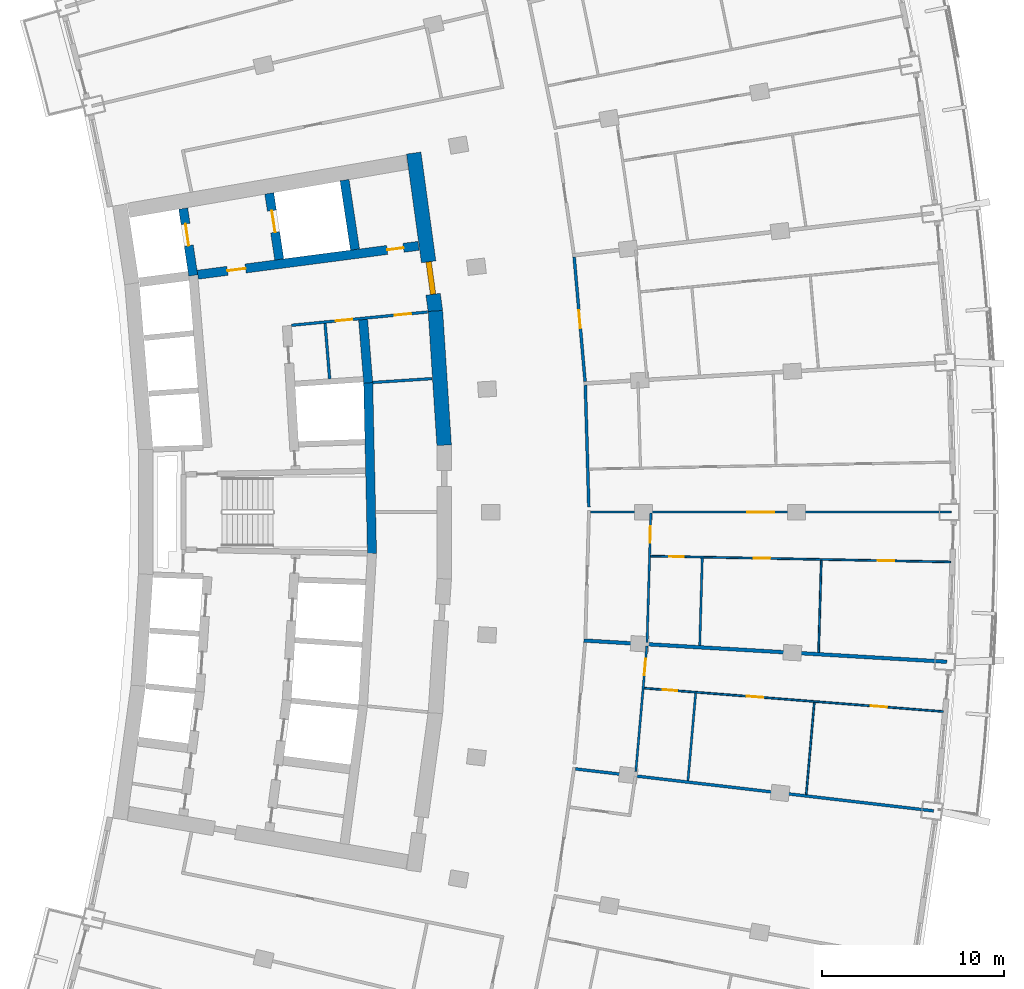
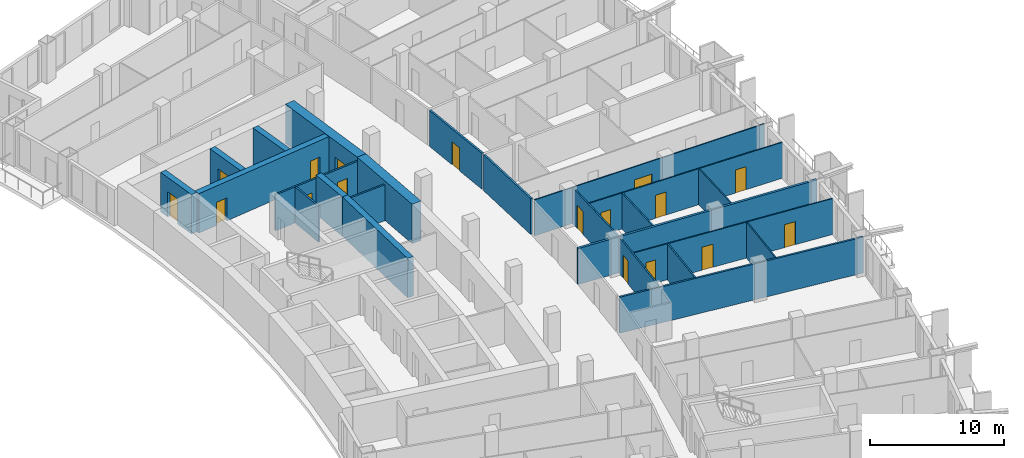
# One storey, part 17 of 25: 24 walls, 17 doors, 17 openings.
"""IFC4 building model written with IfcOpenShell, lengths in metres."""

from ifc_helpers import new_model, si_unit, direction, frame, frame_2d, origin, place, context, subcontext, project, spatial, rectangle, extrude, material, layer, layer_set, type_object, element, fill, save


model = new_model("IFC4")

# Units and contexts
model_context = context("Model", 3, precision=1e-05, world=origin(), true_north=direction((0.0, 1.0)))
body_context = subcontext(model_context, "Body", "Model", "MODEL_VIEW")
ifc_project = project(units=[si_unit("LENGTHUNIT", "METRE"), si_unit("AREAUNIT", "SQUARE_METRE"), si_unit("VOLUMEUNIT", "CUBIC_METRE"), si_unit("PLANEANGLEUNIT", "RADIAN"), si_unit("MASSUNIT", "GRAM", prefix="KILO")], contexts=[model_context])

# Site, building, storey
site_placement = place(None, origin())
site = spatial("IfcSite", under=ifc_project, at=site_placement, CompositionType="ELEMENT")
building_placement = place(site_placement, origin())
building = spatial("IfcBuilding", under=site, at=building_placement, Name="Alderwake Tower", CompositionType="ELEMENT")
storey_placement = place(building_placement, frame((0.0, 0.0, 107.60009765625)))
storey = spatial("IfcBuildingStorey", under=building, at=storey_placement, Name="L26", CompositionType="ELEMENT", Elevation=107.60009765625)

# Walls
ifc_material_1 = material(Name="Gypsum shaft wall system, rated")
ifc_layer_1 = layer(ifc_material_1, 0.14990234375)
ifc_layer_set_1 = layer_set([ifc_layer_1], Name="Core room partition 150")
wall_type_1 = type_object("IfcWallType", Name="Core room partition 150", PredefinedType="PARTITIONING", material=ifc_layer_set_1)
wall_1_placement = place(storey_placement, frame((26.94970703125, 68.3203125, 0.0), z_axis=(0.0, 0.0, 1.0), x_axis=(-0.082463525817, 0.996594083321, 0.0)))
element("IfcWall", 1, at=wall_1_placement, inside=storey, type_object=wall_type_1, Name="CW/L26/PA+107_+70", PredefinedType="PARTITIONING", context=body_context, shape_type="SweptSolid", body=[
    extrude(rectangle(XDim=3.055419921875, YDim=0.14990234375, at=frame_2d((1.52783203125, 0.0))), origin(), (0.0, 0.0, 1.0), 3.27978515625),
])
wall_2_placement = place(storey_placement, frame((29.318603515625, 68.11865234375, 0.0), z_axis=(0.0, 0.0, 1.0), x_axis=(0.997885072108, 0.065002945035, 0.0)))
element("IfcWall", 2, at=wall_2_placement, inside=storey, type_object=wall_type_1, Name="CW/L26/PR+68_+128", PredefinedType="PARTITIONING", context=body_context, shape_type="SweptSolid", body=[
    extrude(rectangle(XDim=3.260009765625, YDim=0.14990234375, at=frame_2d((1.6298828125, 0.0))), origin(), (0.0, 0.0, 1.0), 3.27978515625),
])

# Wall, openings, doors
wall_3_placement = place(storey_placement, frame((32.333251953125, 71.991943359375, 0.0), z_axis=(0.0, 0.0, 1.0), x_axis=(-0.995248348328, -0.097369015353, 0.0)))
wall_3 = element("IfcWall", 3, at=wall_3_placement, inside=storey, type_object=wall_type_1, Name="CW/L26/PR+102_+86", PredefinedType="PARTITIONING", context=body_context, shape_type="SweptSolid", body=[
    extrude(rectangle(XDim=7.51953125, YDim=0.14990234375, at=frame_2d((3.759765625, 0.0))), origin(), (0.0, 0.0, 1.0), 3.27978515625),
])
opening_1_placement = place(wall_3_placement, frame((4.169921875, 0.0, 0.0)))
opening_1 = element("IfcOpeningElement", 4, at=opening_1_placement, cuts=wall_3, Name="Opening C022", PredefinedType="OPENING", context=body_context, shape_type="SweptSolid", body=[
    extrude(rectangle(XDim=0.89990234375, YDim=2.10009765625, at=frame_2d((0.449951171875, 1.050048828125))), frame((0.0, 0.0849609375, 0.0), z_axis=(0.0, -1.0, 0.0), x_axis=(1.0, 0.0, 0.0)), (0.0, 0.0, 1.0), 0.169921875),
])
opening_2_placement = place(wall_3_placement, frame((0.919921875, 0.0, 0.0)))
opening_2 = element("IfcOpeningElement", 5, at=opening_2_placement, cuts=wall_3, Name="Opening C036", PredefinedType="OPENING", context=body_context, shape_type="SweptSolid", body=[
    extrude(rectangle(XDim=0.89990234375, YDim=2.10009765625, at=frame_2d((0.449951171875, 1.050048828125))), frame((0.0, 0.0849609375, 0.0), z_axis=(0.0, -1.0, 0.0), x_axis=(1.0, 0.0, 0.0)), (0.0, 0.0, 1.0), 0.169921875),
])
ifc_material_2 = material(Name="Painted steel leaf", Category="steel")
door_type_1 = type_object("IfcDoorType", Name="Core room door 900", OperationType="SINGLE_SWING_LEFT", PredefinedType="DOOR", material=ifc_material_2)
door_1_placement = place(opening_1_placement, origin())
door_1 = element("IfcDoor", 6, at=door_1_placement, inside=storey, type_object=door_type_1, Name="Room door", OperationType="SINGLE_SWING_RIGHT", OverallHeight=2.10009765625, OverallWidth=0.89990234375, PredefinedType="DOOR", context=body_context, shape_type="SweptSolid", body=[
    extrude(rectangle(XDim=0.89990234375, YDim=2.10009765625, at=frame_2d((0.449951171875, 1.050048828125))), frame((0.0, 0.02490234375, 0.0), z_axis=(0.0, -1.0, 0.0), x_axis=(1.0, 0.0, 0.0)), (0.0, 0.0, 1.0), 0.050048828125),
])
fill(opening_1, door_1)
door_2_placement = place(opening_2_placement, origin())
door_2 = element("IfcDoor", 7, at=door_2_placement, inside=storey, type_object=door_type_1, Name="Room door", OperationType="SINGLE_SWING_RIGHT", OverallHeight=2.10009765625, OverallWidth=0.89990234375, PredefinedType="DOOR", context=body_context, shape_type="SweptSolid", body=[
    extrude(rectangle(XDim=0.89990234375, YDim=2.10009765625, at=frame_2d((0.449951171875, 1.050048828125))), frame((0.0, 0.02490234375, 0.0), z_axis=(0.0, -1.0, 0.0), x_axis=(1.0, 0.0, 0.0)), (0.0, 0.0, 1.0), 0.050048828125),
])
fill(opening_2, door_2)

# Wall
ifc_material_3 = material(Name="Concrete C70/85", Category="concrete")
ifc_layer_2 = layer(ifc_material_3, 0.800048828125)
ifc_layer_set_2 = layer_set([ifc_layer_2], Name="Core wall outer 800 C70-85")
wall_type_2 = type_object("IfcWallType", Name="Core wall outer 800 C70-85", PredefinedType="SHEAR", material=ifc_layer_set_2)
wall_4_placement = place(storey_placement, frame((33.240966796875, 64.669677734375, 0.0), z_axis=(0.0, 0.0, 1.0), x_axis=(-0.064976219143, 0.997886812693, 0.0)))
element("IfcWall", 8, at=wall_4_placement, inside=storey, type_object=wall_type_2, Name="Core wall CW.010", PredefinedType="SHEAR", context=body_context, shape_type="SweptSolid", body=[
    extrude(rectangle(XDim=7.39453125, YDim=0.800048828125, at=frame_2d((3.697265625, 0.0))), origin(), (0.0, 0.0, 1.0), 3.599853515625),
])

# Wall, opening, door
wall_5_placement = place(storey_placement, frame((31.569580078125, 80.7265625, 0.0), z_axis=(0.0, 0.0, 1.0), x_axis=(0.135838347444, -0.990731014637, 0.0)))
wall_5 = element("IfcWall", 9, at=wall_5_placement, inside=storey, type_object=wall_type_2, Name="Core wall CW.009", PredefinedType="SHEAR", context=body_context, shape_type="SweptSolid", body=[
    extrude(rectangle(XDim=8.788818359375, YDim=0.800048828125, at=frame_2d((4.39453125, 0.0))), origin(), (0.0, 0.0, 1.0), 3.599853515625),
])
opening_3_placement = place(wall_5_placement, frame((6.032958984375, 0.0, 0.0)))
opening_3 = element("IfcOpeningElement", 10, at=opening_3_placement, cuts=wall_5, Name="Opening C001", PredefinedType="OPENING", context=body_context, shape_type="SweptSolid", body=[
    extrude(rectangle(XDim=1.800048828125, YDim=2.10009765625, at=frame_2d((0.89990234375, 1.050048828125))), frame((0.0, 0.409912109375, 0.0), z_axis=(0.0, -1.0, 0.0), x_axis=(1.0, 0.0, 0.0)), (0.0, 0.0, 1.0), 0.820068359375),
])
ifc_material_4 = material(Name="Steel-framed fire door leaves", Category="steel")
door_type_2 = type_object("IfcDoorType", Name="Core double door 1800 fire-rated", OperationType="DOUBLE_DOOR_SINGLE_SWING", PredefinedType="DOOR", material=ifc_material_4)
door_3_placement = place(opening_3_placement, origin())
door_3 = element("IfcDoor", 11, at=door_3_placement, inside=storey, type_object=door_type_2, Name="Lobby double door", OperationType="DOUBLE_DOOR_SINGLE_SWING", OverallHeight=2.10009765625, OverallWidth=1.800048828125, PredefinedType="DOOR", context=body_context, shape_type="SweptSolid", body=[
    extrude(rectangle(XDim=1.800048828125, YDim=2.10009765625, at=frame_2d((0.89990234375, 1.050048828125))), frame((0.0, 0.14990234375, 0.0), z_axis=(0.0, -1.0, 0.0), x_axis=(1.0, 0.0, 0.0)), (0.0, 0.0, 1.0), 0.300048828125),
])
fill(opening_3, door_3)

ifc_material_5 = material(Name="Concrete C70/85", Category="concrete")
ifc_layer_3 = layer(ifc_material_5, 0.5)
ifc_layer_set_3 = layer_set([ifc_layer_3], Name="Core wall spine 500 C70-85")
wall_type_3 = type_object("IfcWallType", Name="Core wall spine 500 C70-85", PredefinedType="SHEAR", material=ifc_layer_set_3)
wall_6_placement = place(storey_placement, frame((19.4541015625, 73.9990234375, 0.0), z_axis=(0.0, 0.0, 1.0), x_axis=(-0.14792928808, 0.988997940204, 0.0)))
wall_6 = element("IfcWall", 12, at=wall_6_placement, inside=storey, type_object=wall_type_3, Name="Core wall CW.030", PredefinedType="SHEAR", context=body_context, shape_type="SweptSolid", body=[
    extrude(rectangle(XDim=3.716552734375, YDim=0.5, at=frame_2d((1.8583984375, 0.0))), origin(), (0.0, 0.0, 1.0), 3.599853515625),
])
opening_4_placement = place(wall_6_placement, frame((1.66259765625, 0.0, 0.0)))
opening_4 = element("IfcOpeningElement", 13, at=opening_4_placement, cuts=wall_6, Name="Opening LD-FF1", PredefinedType="OPENING", context=body_context, shape_type="SweptSolid", body=[
    extrude(rectangle(XDim=1.199951171875, YDim=2.300048828125, at=frame_2d((0.60009765625, 1.14990234375))), frame((0.0, 0.260009765625, 0.0), z_axis=(0.0, -1.0, 0.0), x_axis=(1.0, 0.0, 0.0)), (0.0, 0.0, 1.0), 0.52001953125),
])
ifc_material_6 = material(Name="Stainless steel sliding leaf", Category="steel")
door_type_3 = type_object("IfcDoorType", Name="Lift landing door 1200", OperationType="SLIDING_TO_LEFT", PredefinedType="DOOR", material=ifc_material_6)
door_4_placement = place(opening_4_placement, origin())
door_4 = element("IfcDoor", 14, at=door_4_placement, inside=storey, type_object=door_type_3, Name="Lift landing door FF1", OperationType="SLIDING_TO_LEFT", OverallHeight=2.300048828125, OverallWidth=1.199951171875, PredefinedType="DOOR", context=body_context, shape_type="SweptSolid", body=[
    extrude(rectangle(XDim=1.199951171875, YDim=2.300048828125, at=frame_2d((0.60009765625, 1.14990234375))), frame((0.0, 0.02490234375, 0.0), z_axis=(0.0, -1.0, 0.0), x_axis=(1.0, 0.0, 0.0)), (0.0, 0.0, 1.0), 0.050048828125),
])
fill(opening_4, door_4)

wall_7_placement = place(storey_placement, frame((24.1796875, 74.878173828125, 0.0), z_axis=(0.0, 0.0, 1.0), x_axis=(-0.149334835296, 0.988786684259, 0.0)))
wall_7 = element("IfcWall", 15, at=wall_7_placement, inside=storey, type_object=wall_type_3, Name="Core wall CW.044", PredefinedType="SHEAR", context=body_context, shape_type="SweptSolid", body=[
    extrude(rectangle(XDim=3.673583984375, YDim=0.5, at=frame_2d((1.8369140625, 0.0))), origin(), (0.0, 0.0, 1.0), 3.599853515625),
])
opening_5_placement = place(wall_7_placement, frame((1.51171875, 0.0, 0.0)))
opening_5 = element("IfcOpeningElement", 16, at=opening_5_placement, cuts=wall_7, Name="Opening LD-FF2", PredefinedType="OPENING", context=body_context, shape_type="SweptSolid", body=[
    extrude(rectangle(XDim=1.199951171875, YDim=2.300048828125, at=frame_2d((0.60009765625, 1.14990234375))), frame((0.0, 0.260009765625, 0.0), z_axis=(0.0, -1.0, 0.0), x_axis=(1.0, 0.0, 0.0)), (0.0, 0.0, 1.0), 0.52001953125),
])
door_5_placement = place(opening_5_placement, origin())
door_5 = element("IfcDoor", 17, at=door_5_placement, inside=storey, type_object=door_type_3, Name="Lift landing door FF2", OperationType="SLIDING_TO_LEFT", OverallHeight=2.300048828125, OverallWidth=1.199951171875, PredefinedType="DOOR", context=body_context, shape_type="SweptSolid", body=[
    extrude(rectangle(XDim=1.199951171875, YDim=2.300048828125, at=frame_2d((0.60009765625, 1.14990234375))), frame((0.0, 0.02490234375, 0.0), z_axis=(0.0, -1.0, 0.0), x_axis=(1.0, 0.0, 0.0)), (0.0, 0.0, 1.0), 0.050048828125),
])
fill(opening_5, door_5)

# Walls
wall_8_placement = place(storey_placement, frame((29.276611328125, 58.71630859375, 0.0), z_axis=(0.0, 0.0, 1.0), x_axis=(-0.022111127054, 0.999755519145, 0.0)))
element("IfcWall", 18, at=wall_8_placement, inside=storey, type_object=wall_type_3, Name="Core wall CW.007", PredefinedType="SHEAR", context=body_context, shape_type="SweptSolid", body=[
    extrude(rectangle(XDim=9.396240234375, YDim=0.5, at=frame_2d((4.6982421875, 0.0))), origin(), (0.0, 0.0, 1.0), 3.599853515625),
])
wall_9_placement = place(storey_placement, frame((29.069580078125, 68.094482421875, 0.0), z_axis=(0.0, 0.0, 1.0), x_axis=(-0.080877914698, 0.99672401542, 0.0)))
element("IfcWall", 19, at=wall_9_placement, inside=storey, type_object=wall_type_3, Name="Core wall CW.003", PredefinedType="SHEAR", context=body_context, shape_type="SweptSolid", body=[
    extrude(rectangle(XDim=3.486572265625, YDim=0.5, at=frame_2d((1.7431640625, 0.0))), origin(), (0.0, 0.0, 1.0), 3.599853515625),
])
wall_10_placement = place(storey_placement, frame((28.34423828125, 75.4228515625, 0.0), z_axis=(0.0, 0.0, 1.0), x_axis=(-0.14943460482, 0.988771611082, 0.0)))
element("IfcWall", 20, at=wall_10_placement, inside=storey, type_object=wall_type_3, Name="Core wall CW.001", PredefinedType="SHEAR", context=body_context, shape_type="SweptSolid", body=[
    extrude(rectangle(XDim=3.8623046875, YDim=0.5, at=frame_2d((1.93115234375, 0.0))), origin(), (0.0, 0.0, 1.0), 3.599853515625),
])

# Wall, openings, doors
wall_11_placement = place(storey_placement, frame((31.834716796875, 75.627197265625, 0.0), z_axis=(0.0, 0.0, 1.0), x_axis=(-0.991555516999, -0.129682908318, 0.0)))
wall_11 = element("IfcWall", 21, at=wall_11_placement, inside=storey, type_object=wall_type_3, Name="Core wall CW.052", PredefinedType="SHEAR", context=body_context, shape_type="SweptSolid", body=[
    extrude(rectangle(XDim=12.23681640625, YDim=0.5, at=frame_2d((6.118408203125, 0.0))), origin(), (0.0, 0.0, 1.0), 3.599853515625),
])
opening_6_placement = place(wall_11_placement, frame((9.587158203125, 0.0, 0.0)))
opening_6 = element("IfcOpeningElement", 22, at=opening_6_placement, cuts=wall_11, Name="Opening C002", PredefinedType="OPENING", context=body_context, shape_type="SweptSolid", body=[
    extrude(rectangle(XDim=1.0, YDim=2.10009765625, at=frame_2d((0.5, 1.050048828125))), frame((0.0, 0.260009765625, 0.0), z_axis=(0.0, -1.0, 0.0), x_axis=(1.0, 0.0, 0.0)), (0.0, 0.0, 1.0), 0.52001953125),
])
opening_7_placement = place(wall_11_placement, frame((0.837158203125, 0.0, 0.0)))
opening_7 = element("IfcOpeningElement", 23, at=opening_7_placement, cuts=wall_11, Name="Opening C020", PredefinedType="OPENING", context=body_context, shape_type="SweptSolid", body=[
    extrude(rectangle(XDim=0.89990234375, YDim=2.10009765625, at=frame_2d((0.449951171875, 1.050048828125))), frame((0.0, 0.260009765625, 0.0), z_axis=(0.0, -1.0, 0.0), x_axis=(1.0, 0.0, 0.0)), (0.0, 0.0, 1.0), 0.52001953125),
])
door_6_placement = place(opening_7_placement, origin())
door_6 = element("IfcDoor", 24, at=door_6_placement, inside=storey, type_object=door_type_1, Name="Room door", OperationType="SINGLE_SWING_LEFT", OverallHeight=2.10009765625, OverallWidth=0.89990234375, PredefinedType="DOOR", context=body_context, shape_type="SweptSolid", body=[
    extrude(rectangle(XDim=0.89990234375, YDim=2.10009765625, at=frame_2d((0.449951171875, 1.050048828125))), frame((0.0, 0.02490234375, 0.0), z_axis=(0.0, -1.0, 0.0), x_axis=(1.0, 0.0, 0.0)), (0.0, 0.0, 1.0), 0.050048828125),
])
fill(opening_7, door_6)
ifc_material_7 = material(Name="Steel-framed fire door leaf", Category="steel")
door_type_4 = type_object("IfcDoorType", Name="Firefighting lobby door 1000 fire-rated", OperationType="SINGLE_SWING_LEFT", PredefinedType="DOOR", material=ifc_material_7)
door_7_placement = place(opening_6_placement, origin())
door_7 = element("IfcDoor", 25, at=door_7_placement, inside=storey, type_object=door_type_4, Name="Firefighting lobby door", OperationType="SINGLE_SWING_RIGHT", OverallHeight=2.10009765625, OverallWidth=1.0, PredefinedType="DOOR", context=body_context, shape_type="SweptSolid", body=[
    extrude(rectangle(XDim=1.0, YDim=2.10009765625, at=frame_2d((0.5, 1.050048828125))), frame((0.0, 0.02490234375, 0.0), z_axis=(0.0, -1.0, 0.0), x_axis=(1.0, 0.0, 0.0)), (0.0, 0.0, 1.0), 0.050048828125),
])
fill(opening_6, door_7)

# Wall
ifc_material_8 = material(Name="Gypsum board on metal studs, rated")
ifc_layer_4 = layer(ifc_material_8, 0.159912109375)
ifc_layer_set_4 = layer_set([ifc_layer_4], Name="Corridor wall 160")
wall_type_4 = type_object("IfcWallType", Name="Corridor wall 160", PredefinedType="PARTITIONING", material=ifc_layer_set_4)
wall_12_placement = place(storey_placement, frame((40.45654296875, 46.8837890625, 0.0), z_axis=(0.0, 0.0, 1.0), x_axis=(0.993202888972, -0.116395967876, 0.0)))
element("IfcWall", 26, at=wall_12_placement, inside=storey, type_object=wall_type_4, Name="WL/L26/W38", PredefinedType="PARTITIONING", context=body_context, shape_type="SweptSolid", body=[
    extrude(rectangle(XDim=19.8193359375, YDim=0.159912109375, at=frame_2d((9.90966796875, 0.0))), origin(), (0.0, 0.0, 1.0), 3.27978515625),
])

# Wall, opening, door
wall_13_placement = place(storey_placement, frame((40.3857421875, 75.00830078125, 0.0), z_axis=(0.0, 0.0, 1.0), x_axis=(0.087448731147, -0.996169021512, 0.0)))
wall_13 = element("IfcWall", 27, at=wall_13_placement, inside=storey, type_object=wall_type_4, Name="WL/L26/W41", PredefinedType="PARTITIONING", context=body_context, shape_type="SweptSolid", body=[
    extrude(rectangle(XDim=6.867919921875, YDim=0.159912109375, at=frame_2d((3.43408203125, 0.0))), origin(), (0.0, 0.0, 1.0), 3.27978515625),
])
opening_8_placement = place(wall_13_placement, frame((2.93408203125, 0.0, 0.0)))
opening_8 = element("IfcOpeningElement", 28, at=opening_8_placement, cuts=wall_13, Name="Opening R07-U08.2", PredefinedType="OPENING", context=body_context, shape_type="SweptSolid", body=[
    extrude(rectangle(XDim=1.0, YDim=2.10009765625, at=frame_2d((0.5, 1.050048828125))), frame((0.0, 0.08984375, 0.0), z_axis=(0.0, -1.0, 0.0), x_axis=(1.0, 0.0, 0.0)), (0.0, 0.0, 1.0), 0.179931640625),
])
ifc_material_9 = material(Name="Solid timber leaf in steel frame", Category="steel")
door_type_5 = type_object("IfcDoorType", Name="Flat entrance door 1000 fire-rated", OperationType="SINGLE_SWING_LEFT", PredefinedType="DOOR", material=ifc_material_9)
door_8_placement = place(opening_8_placement, origin())
door_8 = element("IfcDoor", 29, at=door_8_placement, inside=storey, type_object=door_type_5, Name="DR/L26/U08.2", OperationType="SINGLE_SWING_LEFT", OverallHeight=2.10009765625, OverallWidth=1.0, PredefinedType="DOOR", context=body_context, shape_type="SweptSolid", body=[
    extrude(rectangle(XDim=1.0, YDim=2.10009765625, at=frame_2d((0.5, 1.050048828125))), frame((0.0, 0.02490234375, 0.0), z_axis=(0.0, -1.0, 0.0), x_axis=(1.0, 0.0, 0.0)), (0.0, 0.0, 1.0), 0.050048828125),
])
fill(opening_8, door_8)

# Walls
wall_14_placement = place(storey_placement, frame((40.997802734375, 67.967041015625, 0.0), z_axis=(0.0, 0.0, 1.0), x_axis=(0.0288778927, -0.99958294669, 0.0)))
element("IfcWall", 30, at=wall_14_placement, inside=storey, type_object=wall_type_4, Name="WL/L26/W42", PredefinedType="PARTITIONING", context=body_context, shape_type="SweptSolid", body=[
    extrude(rectangle(XDim=6.7041015625, YDim=0.159912109375, at=frame_2d((3.35205078125, 0.0))), origin(), (0.0, 0.0, 1.0), 3.27978515625),
])
ifc_material_10 = material(Name="Dense block masonry wall", Category="masonry")
ifc_layer_5 = layer(ifc_material_10, 0.199951171875)
ifc_layer_set_5 = layer_set([ifc_layer_5], Name="Party wall 200")
wall_type_5 = type_object("IfcWallType", Name="Party wall 200", PredefinedType="SOLIDWALL", material=ifc_layer_set_5)
wall_15_placement = place(storey_placement, frame((40.9150390625, 53.938720703125, 0.0), z_axis=(0.0, 0.0, 1.0), x_axis=(0.998296381443, -0.0583466777, 0.0)))
element("IfcWall", 31, at=wall_15_placement, inside=storey, type_object=wall_type_5, Name="WL/L26/W09", PredefinedType="SOLIDWALL", context=body_context, shape_type="SweptSolid", body=[
    extrude(rectangle(XDim=19.97998046875, YDim=0.199951171875, at=frame_2d((9.989990234375, 0.0))), origin(), (0.0, 0.0, 1.0), 3.27978515625),
])

# Wall, opening, door
ifc_material_11 = material(Name="Gypsum board on metal studs")
ifc_layer_6 = layer(ifc_material_11, 0.10009765625)
ifc_layer_set_6 = layer_set([ifc_layer_6], Name="Unit partition 100")
wall_type_6 = type_object("IfcWallType", Name="Unit partition 100", PredefinedType="PARTITIONING", material=ifc_layer_set_6)
wall_16_placement = place(storey_placement, frame((41.279052734375, 60.9990234375, 0.0), z_axis=(0.0, 0.0, 1.0), x_axis=(1.0, 0.0, 0.0)))
wall_16 = element("IfcWall", 32, at=wall_16_placement, inside=storey, type_object=wall_type_6, Name="WL/L26/W75", PredefinedType="PARTITIONING", context=body_context, shape_type="SweptSolid", body=[
    extrude(rectangle(XDim=19.822021484375, YDim=0.10009765625, at=frame_2d((9.9111328125, 0.0))), origin(), (0.0, 0.0, 1.0), 3.27978515625),
])
opening_9_placement = place(wall_16_placement, frame((8.606689453125, 0.0, 0.0)))
opening_9 = element("IfcOpeningElement", 33, at=opening_9_placement, cuts=wall_16, Name="Opening R07-U07.9", PredefinedType="OPENING", context=body_context, shape_type="SweptSolid", body=[
    extrude(rectangle(XDim=1.5, YDim=2.10009765625, at=frame_2d((0.75, 1.050048828125))), frame((0.0, 0.06005859375, 0.0), z_axis=(0.0, -1.0, 0.0), x_axis=(1.0, 0.0, 0.0)), (0.0, 0.0, 1.0), 0.1201171875),
])
ifc_material_12 = material(Name="Painted timber leaves", Category="wood")
door_type_6 = type_object("IfcDoorType", Name="Double leaf door 1500", OperationType="DOUBLE_DOOR_SINGLE_SWING", PredefinedType="DOOR", material=ifc_material_12)
door_9_placement = place(opening_9_placement, origin())
door_9 = element("IfcDoor", 34, at=door_9_placement, inside=storey, type_object=door_type_6, Name="DR/L26/U07.9", OperationType="DOUBLE_DOOR_SINGLE_SWING", OverallHeight=2.10009765625, OverallWidth=1.5, PredefinedType="DOOR", context=body_context, shape_type="SweptSolid", body=[
    extrude(rectangle(XDim=1.5, YDim=2.10009765625, at=frame_2d((0.75, 1.050048828125))), frame((0.0, 0.02490234375, 0.0), z_axis=(0.0, -1.0, 0.0), x_axis=(1.0, 0.0, 0.0)), (0.0, 0.0, 1.0), 0.050048828125),
])
fill(opening_9, door_9)

# Wall, openings, doors
wall_17_placement = place(storey_placement, frame((60.6689453125, 50.037109375, 0.0), z_axis=(0.0, 0.0, 1.0), x_axis=(-0.996970078833, 0.077786000743, 0.0)))
wall_17 = element("IfcWall", 35, at=wall_17_placement, inside=storey, type_object=wall_type_6, Name="WL/L26/W78", PredefinedType="PARTITIONING", context=body_context, shape_type="SweptSolid", body=[
    extrude(rectangle(XDim=16.484130859375, YDim=0.10009765625, at=frame_2d((8.2421875, 0.0))), origin(), (0.0, 0.0, 1.0), 3.27978515625),
])
opening_10_placement = place(wall_17_placement, frame((9.92431640625, 0.0, 0.0)))
opening_10 = element("IfcOpeningElement", 36, at=opening_10_placement, cuts=wall_17, Name="Opening R07-U06.1", PredefinedType="OPENING", context=body_context, shape_type="SweptSolid", body=[
    extrude(rectangle(XDim=0.89990234375, YDim=2.10009765625, at=frame_2d((0.449951171875, 1.050048828125))), frame((0.0, 0.06005859375, 0.0), z_axis=(0.0, -1.0, 0.0), x_axis=(1.0, 0.0, 0.0)), (0.0, 0.0, 1.0), 0.1201171875),
])
opening_11_placement = place(wall_17_placement, frame((14.663818359375, 0.0, 0.0)))
opening_11 = element("IfcOpeningElement", 37, at=opening_11_placement, cuts=wall_17, Name="Opening R07-U06.4", PredefinedType="OPENING", context=body_context, shape_type="SweptSolid", body=[
    extrude(rectangle(XDim=0.800048828125, YDim=2.10009765625, at=frame_2d((0.39990234375, 1.050048828125))), frame((0.0, 0.06005859375, 0.0), z_axis=(0.0, -1.0, 0.0), x_axis=(1.0, 0.0, 0.0)), (0.0, 0.0, 1.0), 0.1201171875),
])
opening_12_placement = place(wall_17_placement, frame((3.102294921875, 0.0, 0.0)))
opening_12 = element("IfcOpeningElement", 38, at=opening_12_placement, cuts=wall_17, Name="Opening R07-U06.5", PredefinedType="OPENING", context=body_context, shape_type="SweptSolid", body=[
    extrude(rectangle(XDim=0.89990234375, YDim=2.10009765625, at=frame_2d((0.449951171875, 1.050048828125))), frame((0.0, 0.06005859375, 0.0), z_axis=(0.0, -1.0, 0.0), x_axis=(1.0, 0.0, 0.0)), (0.0, 0.0, 1.0), 0.1201171875),
])
ifc_material_13 = material(Name="Painted timber leaf", Category="wood")
door_type_7 = type_object("IfcDoorType", Name="Bathroom door 800", OperationType="SINGLE_SWING_LEFT", PredefinedType="DOOR", material=ifc_material_13)
door_10_placement = place(opening_11_placement, origin())
door_10 = element("IfcDoor", 39, at=door_10_placement, inside=storey, type_object=door_type_7, Name="DR/L26/U06.4", OperationType="SINGLE_SWING_LEFT", OverallHeight=2.10009765625, OverallWidth=0.800048828125, PredefinedType="DOOR", context=body_context, shape_type="SweptSolid", body=[
    extrude(rectangle(XDim=0.800048828125, YDim=2.10009765625, at=frame_2d((0.39990234375, 1.050048828125))), frame((0.0, 0.02490234375, 0.0), z_axis=(0.0, -1.0, 0.0), x_axis=(1.0, 0.0, 0.0)), (0.0, 0.0, 1.0), 0.050048828125),
])
fill(opening_11, door_10)
ifc_material_14 = material(Name="Painted timber leaf", Category="wood")
door_type_8 = type_object("IfcDoorType", Name="Room door 900", OperationType="SINGLE_SWING_LEFT", PredefinedType="DOOR", material=ifc_material_14)
door_11_placement = place(opening_10_placement, origin())
door_11 = element("IfcDoor", 40, at=door_11_placement, inside=storey, type_object=door_type_8, Name="DR/L26/U06.1", OperationType="SINGLE_SWING_LEFT", OverallHeight=2.10009765625, OverallWidth=0.89990234375, PredefinedType="DOOR", context=body_context, shape_type="SweptSolid", body=[
    extrude(rectangle(XDim=0.89990234375, YDim=2.10009765625, at=frame_2d((0.449951171875, 1.050048828125))), frame((0.0, 0.02490234375, 0.0), z_axis=(0.0, -1.0, 0.0), x_axis=(1.0, 0.0, 0.0)), (0.0, 0.0, 1.0), 0.050048828125),
])
fill(opening_10, door_11)
door_12_placement = place(opening_12_placement, origin())
door_12 = element("IfcDoor", 41, at=door_12_placement, inside=storey, type_object=door_type_8, Name="DR/L26/U06.5", OperationType="SINGLE_SWING_LEFT", OverallHeight=2.10009765625, OverallWidth=0.89990234375, PredefinedType="DOOR", context=body_context, shape_type="SweptSolid", body=[
    extrude(rectangle(XDim=0.89990234375, YDim=2.10009765625, at=frame_2d((0.449951171875, 1.050048828125))), frame((0.0, 0.02490234375, 0.0), z_axis=(0.0, -1.0, 0.0), x_axis=(1.0, 0.0, 0.0)), (0.0, 0.0, 1.0), 0.050048828125),
])
fill(opening_12, door_12)

wall_18_placement = place(storey_placement, frame((61.071044921875, 58.257080078125, 0.0), z_axis=(0.0, 0.0, 1.0), x_axis=(-0.999811785207, 0.019400880442, 0.0)))
wall_18 = element("IfcWall", 42, at=wall_18_placement, inside=storey, type_object=wall_type_6, Name="WL/L26/W79", PredefinedType="PARTITIONING", context=body_context, shape_type="SweptSolid", body=[
    extrude(rectangle(XDim=16.485107421875, YDim=0.10009765625, at=frame_2d((8.24267578125, 0.0))), origin(), (0.0, 0.0, 1.0), 3.27978515625),
])
opening_13_placement = place(wall_18_placement, frame((9.92626953125, 0.0, 0.0)))
opening_13 = element("IfcOpeningElement", 43, at=opening_13_placement, cuts=wall_18, Name="Opening R07-U07.1", PredefinedType="OPENING", context=body_context, shape_type="SweptSolid", body=[
    extrude(rectangle(XDim=0.89990234375, YDim=2.10009765625, at=frame_2d((0.449951171875, 1.050048828125))), frame((0.0, 0.06005859375, 0.0), z_axis=(0.0, -1.0, 0.0), x_axis=(1.0, 0.0, 0.0)), (0.0, 0.0, 1.0), 0.1201171875),
])
opening_14_placement = place(wall_18_placement, frame((14.66552734375, 0.0, 0.0)))
opening_14 = element("IfcOpeningElement", 44, at=opening_14_placement, cuts=wall_18, Name="Opening R07-U07.4", PredefinedType="OPENING", context=body_context, shape_type="SweptSolid", body=[
    extrude(rectangle(XDim=0.800048828125, YDim=2.10009765625, at=frame_2d((0.39990234375, 1.050048828125))), frame((0.0, 0.06005859375, 0.0), z_axis=(0.0, -1.0, 0.0), x_axis=(1.0, 0.0, 0.0)), (0.0, 0.0, 1.0), 0.1201171875),
])
opening_15_placement = place(wall_18_placement, frame((3.10400390625, 0.0, 0.0)))
opening_15 = element("IfcOpeningElement", 45, at=opening_15_placement, cuts=wall_18, Name="Opening R07-U07.5", PredefinedType="OPENING", context=body_context, shape_type="SweptSolid", body=[
    extrude(rectangle(XDim=0.89990234375, YDim=2.10009765625, at=frame_2d((0.449951171875, 1.050048828125))), frame((0.0, 0.06005859375, 0.0), z_axis=(0.0, -1.0, 0.0), x_axis=(1.0, 0.0, 0.0)), (0.0, 0.0, 1.0), 0.1201171875),
])
door_13_placement = place(opening_14_placement, origin())
door_13 = element("IfcDoor", 46, at=door_13_placement, inside=storey, type_object=door_type_7, Name="DR/L26/U07.4", OperationType="SINGLE_SWING_LEFT", OverallHeight=2.10009765625, OverallWidth=0.800048828125, PredefinedType="DOOR", context=body_context, shape_type="SweptSolid", body=[
    extrude(rectangle(XDim=0.800048828125, YDim=2.10009765625, at=frame_2d((0.39990234375, 1.050048828125))), frame((0.0, 0.02490234375, 0.0), z_axis=(0.0, -1.0, 0.0), x_axis=(1.0, 0.0, 0.0)), (0.0, 0.0, 1.0), 0.050048828125),
])
fill(opening_14, door_13)
door_14_placement = place(opening_13_placement, origin())
door_14 = element("IfcDoor", 47, at=door_14_placement, inside=storey, type_object=door_type_8, Name="DR/L26/U07.1", OperationType="SINGLE_SWING_LEFT", OverallHeight=2.10009765625, OverallWidth=0.89990234375, PredefinedType="DOOR", context=body_context, shape_type="SweptSolid", body=[
    extrude(rectangle(XDim=0.89990234375, YDim=2.10009765625, at=frame_2d((0.449951171875, 1.050048828125))), frame((0.0, 0.02490234375, 0.0), z_axis=(0.0, -1.0, 0.0), x_axis=(1.0, 0.0, 0.0)), (0.0, 0.0, 1.0), 0.050048828125),
])
fill(opening_13, door_14)
door_15_placement = place(opening_15_placement, origin())
door_15 = element("IfcDoor", 48, at=door_15_placement, inside=storey, type_object=door_type_8, Name="DR/L26/U07.5", OperationType="SINGLE_SWING_LEFT", OverallHeight=2.10009765625, OverallWidth=0.89990234375, PredefinedType="DOOR", context=body_context, shape_type="SweptSolid", body=[
    extrude(rectangle(XDim=0.89990234375, YDim=2.10009765625, at=frame_2d((0.449951171875, 1.050048828125))), frame((0.0, 0.02490234375, 0.0), z_axis=(0.0, -1.0, 0.0), x_axis=(1.0, 0.0, 0.0)), (0.0, 0.0, 1.0), 0.050048828125),
])
fill(opening_15, door_15)

# Walls
wall_19_placement = place(storey_placement, frame((53.136962890625, 45.4755859375, 0.0), z_axis=(0.0, 0.0, 1.0), x_axis=(0.087460675888, 0.996167972871, 0.0)))
element("IfcWall", 49, at=wall_19_placement, inside=storey, type_object=wall_type_6, Name="WL/L26/W87", PredefinedType="PARTITIONING", context=body_context, shape_type="SweptSolid", body=[
    extrude(rectangle(XDim=5.083251953125, YDim=0.10009765625, at=frame_2d((2.54150390625, 0.0))), origin(), (0.0, 0.0, 1.0), 3.27978515625),
])
wall_20_placement = place(storey_placement, frame((53.81689453125, 53.283935546875, 0.0), z_axis=(0.0, 0.0, 1.0), x_axis=(0.02936504444, 0.999568754096, 0.0)))
element("IfcWall", 50, at=wall_20_placement, inside=storey, type_object=wall_type_6, Name="WL/L26/W89", PredefinedType="PARTITIONING", context=body_context, shape_type="SweptSolid", body=[
    extrude(rectangle(XDim=5.063232421875, YDim=0.10009765625, at=frame_2d((2.53173828125, 0.0))), origin(), (0.0, 0.0, 1.0), 3.27978515625),
])

# Wall, opening, door
ifc_material_15 = material(Name="Moisture resistant gypsum board on metal studs")
ifc_layer_7 = layer(ifc_material_15, 0.1201171875)
ifc_layer_set_7 = layer_set([ifc_layer_7], Name="Wet room partition 120")
wall_type_7 = type_object("IfcWallType", Name="Wet room partition 120", PredefinedType="PARTITIONING", material=ifc_layer_set_7)
wall_21_placement = place(storey_placement, frame((44.379150390625, 53.63623046875, 0.0), z_axis=(0.0, 0.0, 1.0), x_axis=(-0.087502350371, -0.996164313093, 0.0)))
wall_21 = element("IfcWall", 51, at=wall_21_placement, inside=storey, type_object=wall_type_7, Name="WL/L26/W57", PredefinedType="PARTITIONING", context=body_context, shape_type="SweptSolid", body=[
    extrude(rectangle(XDim=6.916748046875, YDim=0.1201171875, at=frame_2d((3.45849609375, 0.0))), origin(), (0.0, 0.0, 1.0), 3.27978515625),
])
opening_16_placement = place(wall_21_placement, frame((0.711181640625, 0.0, 0.0)))
opening_16 = element("IfcOpeningElement", 52, at=opening_16_placement, cuts=wall_21, Name="Opening R07-U06.3", PredefinedType="OPENING", context=body_context, shape_type="SweptSolid", body=[
    extrude(rectangle(XDim=0.89990234375, YDim=2.10009765625, at=frame_2d((0.449951171875, 1.050048828125))), frame((0.0, 0.070068359375, 0.0), z_axis=(0.0, -1.0, 0.0), x_axis=(1.0, 0.0, 0.0)), (0.0, 0.0, 1.0), 0.14013671875),
])
door_16_placement = place(opening_16_placement, origin())
door_16 = element("IfcDoor", 53, at=door_16_placement, inside=storey, type_object=door_type_8, Name="DR/L26/U06.3", OperationType="SINGLE_SWING_LEFT", OverallHeight=2.10009765625, OverallWidth=0.89990234375, PredefinedType="DOOR", context=body_context, shape_type="SweptSolid", body=[
    extrude(rectangle(XDim=0.89990234375, YDim=2.10009765625, at=frame_2d((0.449951171875, 1.050048828125))), frame((0.0, 0.02490234375, 0.0), z_axis=(0.0, -1.0, 0.0), x_axis=(1.0, 0.0, 0.0)), (0.0, 0.0, 1.0), 0.050048828125),
])
fill(opening_16, door_16)

wall_22_placement = place(storey_placement, frame((44.599609375, 60.948974609375, 0.0), z_axis=(0.0, 0.0, 1.0), x_axis=(-0.029333519004, -0.999569679744, 0.0)))
wall_22 = element("IfcWall", 54, at=wall_22_placement, inside=storey, type_object=wall_type_7, Name="WL/L26/W60", PredefinedType="PARTITIONING", context=body_context, shape_type="SweptSolid", body=[
    extrude(rectangle(XDim=7.1162109375, YDim=0.1201171875, at=frame_2d((3.55810546875, 0.0))), origin(), (0.0, 0.0, 1.0), 3.27978515625),
])
opening_17_placement = place(wall_22_placement, frame((0.735595703125, 0.0, 0.0)))
opening_17 = element("IfcOpeningElement", 55, at=opening_17_placement, cuts=wall_22, Name="Opening R07-U07.3", PredefinedType="OPENING", context=body_context, shape_type="SweptSolid", body=[
    extrude(rectangle(XDim=0.89990234375, YDim=2.10009765625, at=frame_2d((0.449951171875, 1.050048828125))), frame((0.0, 0.070068359375, 0.0), z_axis=(0.0, -1.0, 0.0), x_axis=(1.0, 0.0, 0.0)), (0.0, 0.0, 1.0), 0.14013671875),
])
door_17_placement = place(opening_17_placement, origin())
door_17 = element("IfcDoor", 56, at=door_17_placement, inside=storey, type_object=door_type_8, Name="DR/L26/U07.3", OperationType="SINGLE_SWING_LEFT", OverallHeight=2.10009765625, OverallWidth=0.89990234375, PredefinedType="DOOR", context=body_context, shape_type="SweptSolid", body=[
    extrude(rectangle(XDim=0.89990234375, YDim=2.10009765625, at=frame_2d((0.449951171875, 1.050048828125))), frame((0.0, 0.02490234375, 0.0), z_axis=(0.0, -1.0, 0.0), x_axis=(1.0, 0.0, 0.0)), (0.0, 0.0, 1.0), 0.050048828125),
])
fill(opening_17, door_17)

# Walls
wall_23_placement = place(storey_placement, frame((46.638916015625, 46.23779296875, 0.0), z_axis=(0.0, 0.0, 1.0), x_axis=(0.087753579095, 0.996142213419, 0.0)))
element("IfcWall", 57, at=wall_23_placement, inside=storey, type_object=wall_type_7, Name="WL/L26/W63", PredefinedType="PARTITIONING", context=body_context, shape_type="SweptSolid", body=[
    extrude(rectangle(XDim=4.826904296875, YDim=0.1201171875, at=frame_2d((2.41357421875, 0.0))), origin(), (0.0, 0.0, 1.0), 3.27978515625),
])
wall_24_placement = place(storey_placement, frame((47.285888671875, 53.66796875, 0.0), z_axis=(0.0, 0.0, 1.0), x_axis=(0.029063100448, 0.999577578876, 0.0)))
element("IfcWall", 58, at=wall_24_placement, inside=storey, type_object=wall_type_7, Name="WL/L26/W65", PredefinedType="PARTITIONING", context=body_context, shape_type="SweptSolid", body=[
    extrude(rectangle(XDim=4.804931640625, YDim=0.1201171875, at=frame_2d((2.40234375, 0.0))), origin(), (0.0, 0.0, 1.0), 3.27978515625),
])

save(model, "model.ifc")
